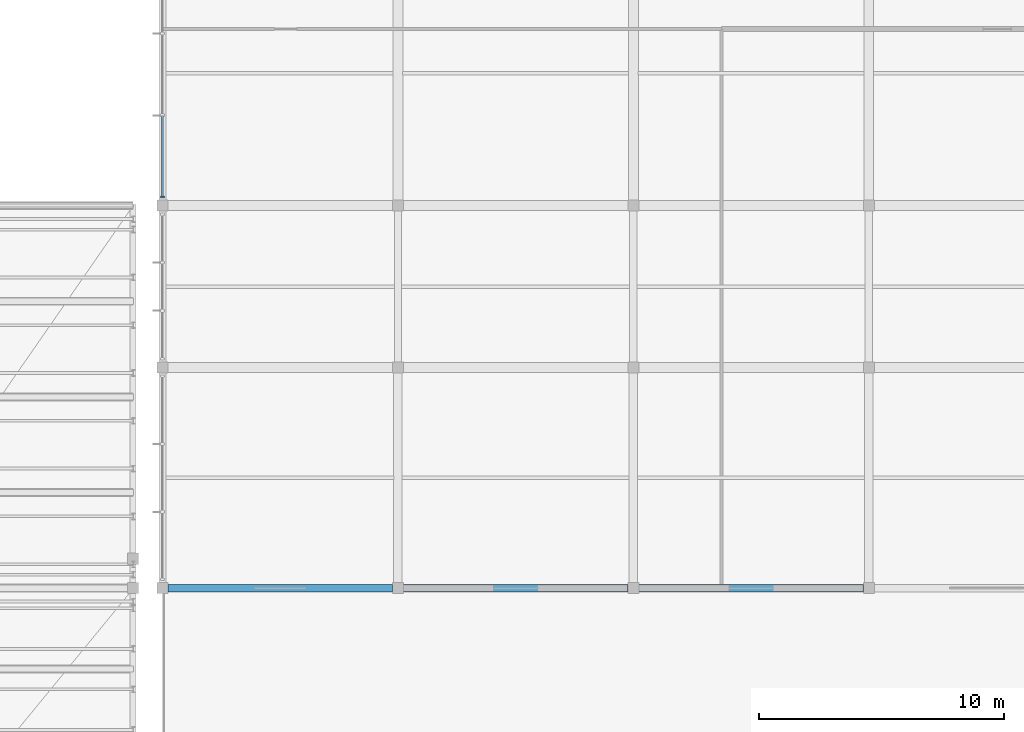
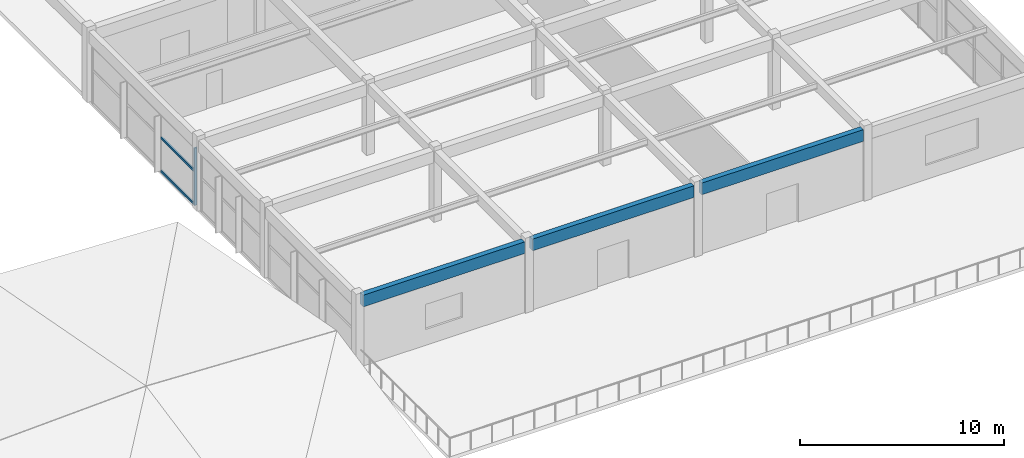
# One storey, part 37 of 89: 3 beams, 3 members, 1 element without a shape of its own.
"""IFC4 building model written with IfcOpenShell, lengths in metres."""

from ifc_helpers import new_model, si_unit, direction, frame, origin, origin_2d, place, context, subcontext, project, spatial, rectangle, extrude, material, material_profile, profile_set, type_object, element, aggregate, save


model = new_model("IFC4")

# Units and contexts
model_context = context("Model", 3, precision=1e-05, world=origin(), true_north=direction((0.0, 1.0)))
body_context = subcontext(model_context, "Body", "Model", "MODEL_VIEW")
ifc_project = project(units=[si_unit("LENGTHUNIT", "METRE"), si_unit("AREAUNIT", "SQUARE_METRE"), si_unit("VOLUMEUNIT", "CUBIC_METRE"), si_unit("PLANEANGLEUNIT", "RADIAN"), si_unit("MASSUNIT", "GRAM", prefix="KILO")], contexts=[model_context])

# Site, building, storey
site_placement = place(None, origin())
site = spatial("IfcSite", under=ifc_project, at=site_placement, CompositionType="ELEMENT")
building_placement = place(site_placement, origin())
building = spatial("IfcBuilding", under=site, at=building_placement, Name="Suirenkawa Promenade Aquatics Centre", CompositionType="ELEMENT")
storey_placement = place(building_placement, frame((0.0, 0.0, 9.60009765625)))
storey = spatial("IfcBuildingStorey", under=building, at=storey_placement, Name="L02", CompositionType="ELEMENT", Elevation=9.60009765625)

# Beams
ifc_material_1 = material(Name="Concrete M40", Category="concrete")
ifc_material_profile_1 = material_profile(ifc_material_1, rectangle(XDim=0.300048828125, YDim=0.699951171875, at=origin_2d()), Name="RC SPANDREL 300x700", Category="concrete")
ifc_profile_set_1 = profile_set([ifc_material_profile_1], Name="Concrete M40")
beam_type = type_object("IfcBeamType", Name="BT-SPANDREL-300x700", PredefinedType="SPANDREL", material=ifc_profile_set_1)
beam_1_placement = place(storey_placement, frame((156.218994140625, 13.199951171875, 3.89990234375), z_axis=(1.0, 0.0, 0.0), x_axis=(0.0, 1.0, 0.0)))
element("IfcBeam", 1, at=beam_1_placement, inside=storey, type_object=beam_type, Name="Floor beam SP-01 BM-1741", PredefinedType="SPANDREL", context=body_context, shape_type="SweptSolid", body=[
    extrude(rectangle(XDim=0.300048828125, YDim=0.699951171875, at=origin_2d()), origin(), (0.0, 0.0, 1.0), 9.162109375),
])
beam_2_placement = place(storey_placement, frame((165.819091796875, 13.199951171875, 3.89990234375), z_axis=(1.0, 0.0, 0.0), x_axis=(0.0, 1.0, 0.0)))
element("IfcBeam", 2, at=beam_2_placement, inside=storey, type_object=beam_type, Name="Floor beam SP-01 BM-1742", PredefinedType="SPANDREL", context=body_context, shape_type="SweptSolid", body=[
    extrude(rectangle(XDim=0.300048828125, YDim=0.699951171875, at=origin_2d()), origin(), (0.0, 0.0, 1.0), 9.161865234375),
])
beam_3_placement = place(storey_placement, frame((175.4189453125, 13.199951171875, 3.89990234375), z_axis=(1.0, 0.0, 0.0), x_axis=(0.0, 1.0, 0.0)))
element("IfcBeam", 3, at=beam_3_placement, inside=storey, type_object=beam_type, Name="Floor beam SP-01 BM-1743", PredefinedType="SPANDREL", context=body_context, shape_type="SweptSolid", body=[
    extrude(rectangle(XDim=0.300048828125, YDim=0.699951171875, at=origin_2d()), origin(), (0.0, 0.0, 1.0), 9.162109375),
])

# Curtain wall, members
ifc_material_2 = material(Name="Anodised aluminium 6063-T6", Category="aluminium")
curtain_wall_type = type_object("IfcCurtainWallType", Name="CWAT-V4WL02-40", PredefinedType="NOTDEFINED", material=ifc_material_2)
curtain_wall_placement = place(storey_placement, origin())
curtain_wall = element("IfcCurtainWall", 4, at=curtain_wall_placement, inside=storey, type_object=curtain_wall_type, Name="Curtain wall CWA-40 CW-083", PredefinedType="NOTDEFINED")
ifc_material_profile_2 = material_profile(ifc_material_2, rectangle(XDim=0.090087890625, YDim=0.159912109375, at=origin_2d()), Name="ALU MULL 90x160", Category="aluminium")
ifc_profile_set_2 = profile_set([ifc_material_profile_2], Name="Anodised aluminium 6063-T6")
member_type_1 = type_object("IfcMemberType", Name="CWM-160x90", PredefinedType="MULLION", material=ifc_profile_set_2)
member_1_placement = place(storey_placement, frame((156.0, 29.14892578125, 0.0), z_axis=(0.0, 0.0, 1.0), x_axis=(0.0, 1.0, 0.0)))
member_1 = element("IfcMember", 5, at=member_1_placement, type_object=member_type_1, Name="Mullion ML-03 CWM-01635", PredefinedType="MULLION", context=body_context, shape_type="SweptSolid", body=[
    extrude(rectangle(XDim=0.090087890625, YDim=0.159912109375, at=origin_2d()), origin(), (0.0, 0.0, 1.0), 3.419921875),
])
ifc_material_profile_3 = material_profile(ifc_material_2, rectangle(XDim=0.090087890625, YDim=0.1298828125, at=origin_2d()), Name="ALU TRAN 90x130", Category="aluminium")
ifc_profile_set_3 = profile_set([ifc_material_profile_3], Name="Anodised aluminium 6063-T6")
member_type_2 = type_object("IfcMemberType", Name="CWT-130x90", PredefinedType="USERDEFINED", material=ifc_profile_set_3)
member_2_placement = place(storey_placement, frame((156.0, 29.14892578125, 0.0), z_axis=(0.0, 1.0, 0.0), x_axis=(-1.0, 0.0, 0.0)))
member_2 = element("IfcMember", 6, at=member_2_placement, type_object=member_type_2, Name="Transom TR-03 CWT-01639", ObjectType="TRANSOM", PredefinedType="USERDEFINED", context=body_context, shape_type="SweptSolid", body=[
    extrude(rectangle(XDim=0.090087890625, YDim=0.1298828125, at=origin_2d()), origin(), (0.0, 0.0, 1.0), 3.333984375),
])
member_3_placement = place(storey_placement, frame((156.0, 29.14892578125, 2.0), z_axis=(0.0, 1.0, 0.0), x_axis=(-1.0, 0.0, 0.0)))
member_3 = element("IfcMember", 7, at=member_3_placement, type_object=member_type_2, Name="Transom TR-03 CWT-01642", ObjectType="TRANSOM", PredefinedType="USERDEFINED", context=body_context, shape_type="SweptSolid", body=[
    extrude(rectangle(XDim=0.090087890625, YDim=0.1298828125, at=origin_2d()), origin(), (0.0, 0.0, 1.0), 3.333984375),
])
aggregate(curtain_wall, [member_1, member_2, member_3])

save(model, "model.ifc")
